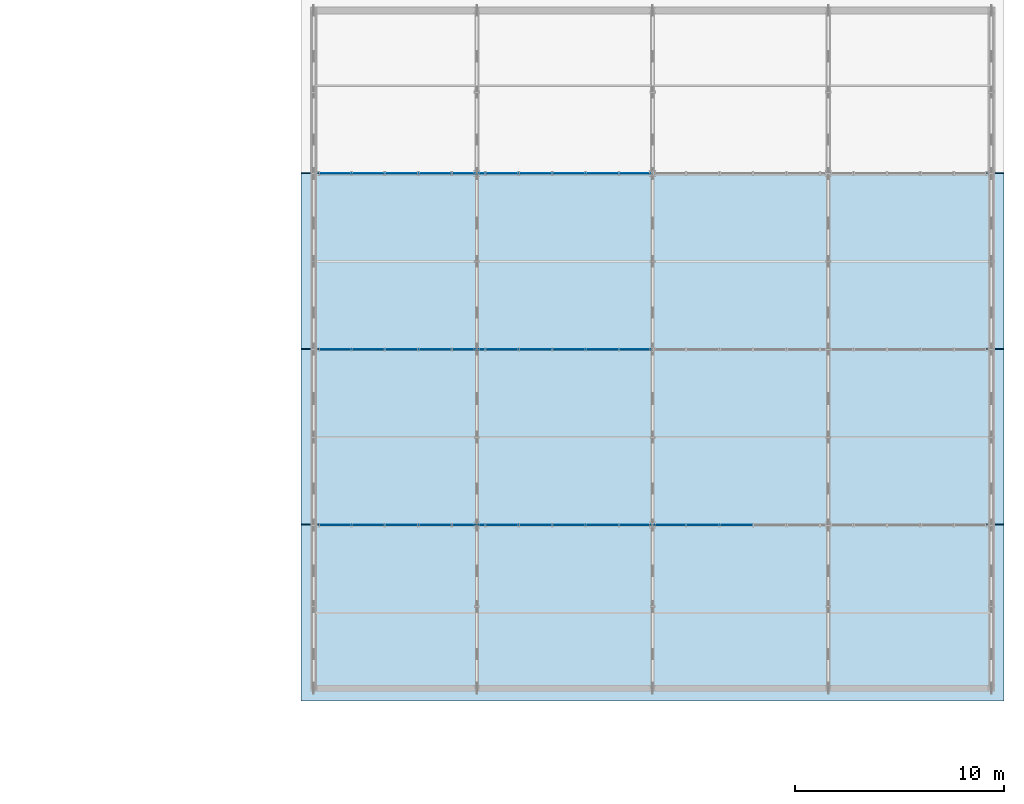
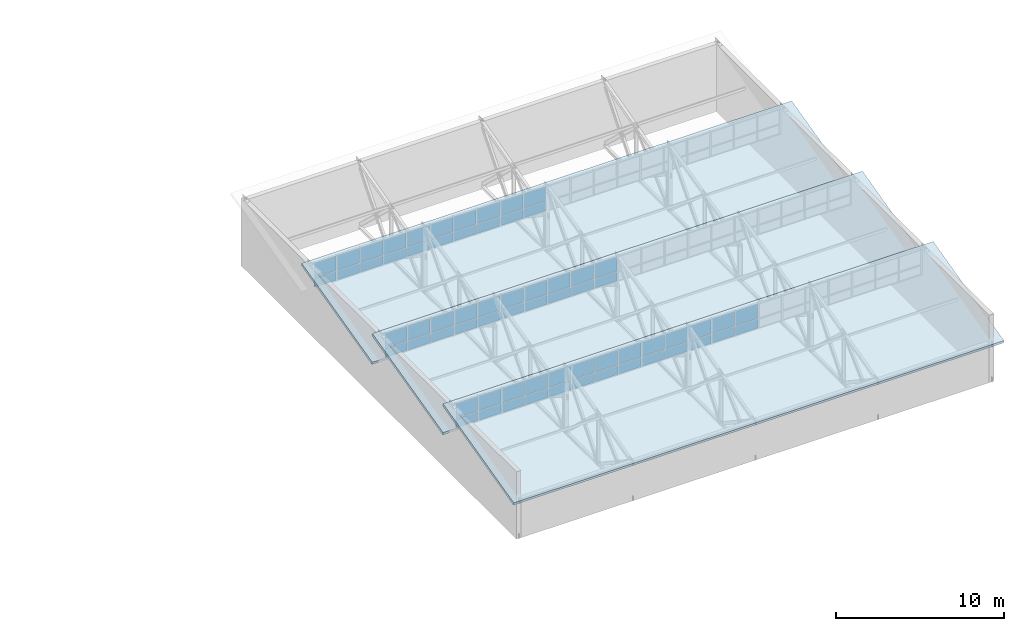
# One storey, part 95 of 123: 66 plates, 3 slabs, 3 elements without a shape of their own.
"""IFC4 building model written with IfcOpenShell, lengths in metres."""

from ifc_helpers import new_model, si_unit, direction, frame, origin, origin_2d, place, context, subcontext, project, spatial, polyline, rectangle, outline, extrude, material, layer, layer_set, type_object, element, aggregate, save


model = new_model("IFC4")

# Units and contexts
model_context = context("Model", 3, precision=1e-05, world=origin(), true_north=direction((0.0, 1.0)))
body_context = subcontext(model_context, "Body", "Model", "MODEL_VIEW")
ifc_project = project(units=[si_unit("LENGTHUNIT", "METRE"), si_unit("AREAUNIT", "SQUARE_METRE"), si_unit("VOLUMEUNIT", "CUBIC_METRE"), si_unit("PLANEANGLEUNIT", "RADIAN"), si_unit("MASSUNIT", "GRAM", prefix="KILO")], contexts=[model_context])

# Site, building, storey
site_placement = place(None, origin())
site = spatial("IfcSite", under=ifc_project, at=site_placement, CompositionType="ELEMENT")
building_placement = place(site_placement, origin())
building = spatial("IfcBuilding", under=site, at=building_placement, Name="Zayran Congress Hotel", CompositionType="ELEMENT")
storey_placement = place(building_placement, frame((0.0, 0.0, 15.0)))
storey = spatial("IfcBuildingStorey", under=building, at=storey_placement, Name="L03", CompositionType="ELEMENT", Elevation=15.0)

# Slabs
ifc_material_1 = material(Name="Concrete C32/40", Category="concrete")
ifc_layer_1 = layer(ifc_material_1, 0.199951171875)
ifc_layer_set_1 = layer_set([ifc_layer_1], Name="Concrete C32/40")
slab_type = type_object("IfcSlabType", Name="SL-RF-200", PredefinedType="ROOF", material=ifc_layer_set_1)
slab_1_placement = place(storey_placement, frame((151.199951171875, 8.800048828125, 2.85009765625), z_axis=(0.0, -0.241911825737, 0.970298236919), x_axis=(1.0, 0.0, 0.0)))
element("IfcSlab", 1, at=slab_1_placement, inside=storey, type_object=slab_type, Name="SLB-V3-RF-1", PredefinedType="ROOF", context=body_context, shape_type="SweptSolid", body=[
    extrude(outline(polyline([(0.0, 0.0), (33.60009765625, 0.0), (33.60009765625, 8.657031440579946), (0.0, 8.657031440579946), (0.0, 0.0)])), origin(), (0.0, 0.0, -1.0), 0.199951171875),
])
slab_2_placement = place(storey_placement, frame((151.199951171875, 17.199951171875, 2.85009765625), z_axis=(0.0, -0.241905206287, 0.970299887237), x_axis=(1.0, 0.0, 0.0)))
element("IfcSlab", 2, at=slab_2_placement, inside=storey, type_object=slab_type, Name="SLB-V3-RF-2", PredefinedType="ROOF", context=body_context, shape_type="SweptSolid", body=[
    extrude(outline(polyline([(0.0, 0.0), (33.60009765625, 0.0), (33.60009765625, 8.6572683299994), (0.0, 8.6572683299994), (0.0, 0.0)])), origin(), (0.0, 0.0, -1.0), 0.199951171875),
])
slab_3_placement = place(storey_placement, frame((151.199951171875, 25.60009765625, 2.85009765625), z_axis=(0.0, -0.241911825737, 0.970298236919), x_axis=(1.0, 0.0, 0.0)))
element("IfcSlab", 3, at=slab_3_placement, inside=storey, type_object=slab_type, Name="SLB-V3-RF-3", PredefinedType="ROOF", context=body_context, shape_type="SweptSolid", body=[
    extrude(outline(polyline([(0.0, 0.0), (33.60009765625, 0.0), (33.60009765625, 8.657031440579946), (0.0, 8.657031440579946), (0.0, 0.0)])), origin(), (0.0, 0.0, -1.0), 0.199951171875),
])

# Curtain wall, plates
ifc_material_2 = material(Name="Anodised aluminium and low-E insulated glass", Category="aluminium")
ifc_layer_2 = layer(ifc_material_2, 0.179931640625)
ifc_layer_set_2 = layer_set([ifc_layer_2], Name="Anodised aluminium and low-E insulated glass")
curtain_wall_type = type_object("IfcCurtainWallType", Name="CW-V3SAW-L03-CW-V31-32000-1870", PredefinedType="USERDEFINED", material=ifc_layer_set_2)
curtain_wall_1_placement = place(storey_placement, origin())
curtain_wall_1 = element("IfcCurtainWall", 4, at=curtain_wall_1_placement, inside=storey, type_object=curtain_wall_type, Name="CW-V3SAW-1", ObjectType="CURTAIN WALL", PredefinedType="USERDEFINED")
ifc_layer_3 = layer(ifc_material_2, 0.028076171875)
ifc_layer_set_3 = layer_set([ifc_layer_3], Name="Anodised aluminium and low-E insulated glass")
plate_type_1 = type_object("IfcPlateType", Name="CWP-GL-1480-1060", PredefinedType="CURTAIN_PANEL", material=ifc_layer_set_3)
plate_1_placement = place(storey_placement, frame((172.0, 17.199951171875, 3.599853515625), z_axis=(0.0, 0.0, 1.0), x_axis=(1.0, 0.0, 0.0)))
plate_1 = element("IfcPlate", 5, at=plate_1_placement, type_object=plate_type_1, Name="CW-V31 Glazed Panel 8", PredefinedType="CURTAIN_PANEL", context=body_context, shape_type="SweptSolid", body=[
    extrude(rectangle(XDim=1.52001953125, YDim=0.028076171875, at=origin_2d()), origin(), (0.0, 0.0, 1.0), 1.06005859375),
])
plate_2_placement = place(storey_placement, frame((170.39990234375, 17.199951171875, 3.599853515625), z_axis=(0.0, 0.0, 1.0), x_axis=(1.0, 0.0, 0.0)))
plate_2 = element("IfcPlate", 6, at=plate_2_placement, type_object=plate_type_1, Name="CW-V31 Glazed Panel 9", PredefinedType="CURTAIN_PANEL", context=body_context, shape_type="SweptSolid", body=[
    extrude(rectangle(XDim=1.52001953125, YDim=0.028076171875, at=origin_2d()), origin(), (0.0, 0.0, 1.0), 1.06005859375),
])
plate_3_placement = place(storey_placement, frame((168.800048828125, 17.199951171875, 3.599853515625), z_axis=(0.0, 0.0, 1.0), x_axis=(1.0, 0.0, 0.0)))
plate_3 = element("IfcPlate", 7, at=plate_3_placement, type_object=plate_type_1, Name="CW-V31 Glazed Panel 10", PredefinedType="CURTAIN_PANEL", context=body_context, shape_type="SweptSolid", body=[
    extrude(rectangle(XDim=1.52001953125, YDim=0.028076171875, at=origin_2d()), origin(), (0.0, 0.0, 1.0), 1.06005859375),
])
plate_4_placement = place(storey_placement, frame((167.199951171875, 17.199951171875, 3.599853515625), z_axis=(0.0, 0.0, 1.0), x_axis=(1.0, 0.0, 0.0)))
plate_4 = element("IfcPlate", 8, at=plate_4_placement, type_object=plate_type_1, Name="CW-V31 Glazed Panel 11", PredefinedType="CURTAIN_PANEL", context=body_context, shape_type="SweptSolid", body=[
    extrude(rectangle(XDim=1.52001953125, YDim=0.028076171875, at=origin_2d()), origin(), (0.0, 0.0, 1.0), 1.06005859375),
])
plate_5_placement = place(storey_placement, frame((165.60009765625, 17.199951171875, 3.599853515625), z_axis=(0.0, 0.0, 1.0), x_axis=(1.0, 0.0, 0.0)))
plate_5 = element("IfcPlate", 9, at=plate_5_placement, type_object=plate_type_1, Name="CW-V31 Glazed Panel 12", PredefinedType="CURTAIN_PANEL", context=body_context, shape_type="SweptSolid", body=[
    extrude(rectangle(XDim=1.52001953125, YDim=0.028076171875, at=origin_2d()), origin(), (0.0, 0.0, 1.0), 1.06005859375),
])
plate_6_placement = place(storey_placement, frame((164.0, 17.199951171875, 3.599853515625), z_axis=(0.0, 0.0, 1.0), x_axis=(1.0, 0.0, 0.0)))
plate_6 = element("IfcPlate", 10, at=plate_6_placement, type_object=plate_type_1, Name="CW-V31 Glazed Panel 13", PredefinedType="CURTAIN_PANEL", context=body_context, shape_type="SweptSolid", body=[
    extrude(rectangle(XDim=1.52001953125, YDim=0.028076171875, at=origin_2d()), origin(), (0.0, 0.0, 1.0), 1.06005859375),
])
plate_7_placement = place(storey_placement, frame((162.39990234375, 17.199951171875, 3.599853515625), z_axis=(0.0, 0.0, 1.0), x_axis=(1.0, 0.0, 0.0)))
plate_7 = element("IfcPlate", 11, at=plate_7_placement, type_object=plate_type_1, Name="CW-V31 Glazed Panel 14", PredefinedType="CURTAIN_PANEL", context=body_context, shape_type="SweptSolid", body=[
    extrude(rectangle(XDim=1.52001953125, YDim=0.028076171875, at=origin_2d()), origin(), (0.0, 0.0, 1.0), 1.06005859375),
])
plate_8_placement = place(storey_placement, frame((160.800048828125, 17.199951171875, 3.599853515625), z_axis=(0.0, 0.0, 1.0), x_axis=(1.0, 0.0, 0.0)))
plate_8 = element("IfcPlate", 12, at=plate_8_placement, type_object=plate_type_1, Name="CW-V31 Glazed Panel 15", PredefinedType="CURTAIN_PANEL", context=body_context, shape_type="SweptSolid", body=[
    extrude(rectangle(XDim=1.52001953125, YDim=0.028076171875, at=origin_2d()), origin(), (0.0, 0.0, 1.0), 1.06005859375),
])
plate_9_placement = place(storey_placement, frame((159.199951171875, 17.199951171875, 3.599853515625), z_axis=(0.0, 0.0, 1.0), x_axis=(1.0, 0.0, 0.0)))
plate_9 = element("IfcPlate", 13, at=plate_9_placement, type_object=plate_type_1, Name="CW-V31 Glazed Panel 16", PredefinedType="CURTAIN_PANEL", context=body_context, shape_type="SweptSolid", body=[
    extrude(rectangle(XDim=1.52001953125, YDim=0.028076171875, at=origin_2d()), origin(), (0.0, 0.0, 1.0), 1.06005859375),
])
plate_10_placement = place(storey_placement, frame((157.60009765625, 17.199951171875, 3.599853515625), z_axis=(0.0, 0.0, 1.0), x_axis=(1.0, 0.0, 0.0)))
plate_10 = element("IfcPlate", 14, at=plate_10_placement, type_object=plate_type_1, Name="CW-V31 Glazed Panel 17", PredefinedType="CURTAIN_PANEL", context=body_context, shape_type="SweptSolid", body=[
    extrude(rectangle(XDim=1.52001953125, YDim=0.028076171875, at=origin_2d()), origin(), (0.0, 0.0, 1.0), 1.06005859375),
])
plate_11_placement = place(storey_placement, frame((156.0, 17.199951171875, 3.599853515625), z_axis=(0.0, 0.0, 1.0), x_axis=(1.0, 0.0, 0.0)))
plate_11 = element("IfcPlate", 15, at=plate_11_placement, type_object=plate_type_1, Name="CW-V31 Glazed Panel 18", PredefinedType="CURTAIN_PANEL", context=body_context, shape_type="SweptSolid", body=[
    extrude(rectangle(XDim=1.52001953125, YDim=0.028076171875, at=origin_2d()), origin(), (0.0, 0.0, 1.0), 1.06005859375),
])
plate_12_placement = place(storey_placement, frame((154.39990234375, 17.199951171875, 3.599853515625), z_axis=(0.0, 0.0, 1.0), x_axis=(1.0, 0.0, 0.0)))
plate_12 = element("IfcPlate", 16, at=plate_12_placement, type_object=plate_type_1, Name="CW-V31 Glazed Panel 19", PredefinedType="CURTAIN_PANEL", context=body_context, shape_type="SweptSolid", body=[
    extrude(rectangle(XDim=1.52001953125, YDim=0.028076171875, at=origin_2d()), origin(), (0.0, 0.0, 1.0), 1.06005859375),
])
plate_13_placement = place(storey_placement, frame((152.820068359375, 17.199951171875, 3.599853515625), z_axis=(0.0, 0.0, 1.0), x_axis=(1.0, 0.0, 0.0)))
plate_13 = element("IfcPlate", 17, at=plate_13_placement, type_object=plate_type_1, Name="CW-V31 Glazed Panel 20", PredefinedType="CURTAIN_PANEL", context=body_context, shape_type="SweptSolid", body=[
    extrude(rectangle(XDim=1.47998046875, YDim=0.028076171875, at=origin_2d()), origin(), (0.0, 0.0, 1.0), 1.06005859375),
])

curtain_wall_2_placement = place(storey_placement, origin())
curtain_wall_2 = element("IfcCurtainWall", 18, at=curtain_wall_2_placement, inside=storey, type_object=curtain_wall_type, Name="CW-V3SAW-2", ObjectType="CURTAIN WALL", PredefinedType="USERDEFINED")
plate_14_placement = place(storey_placement, frame((167.199951171875, 25.60009765625, 3.599853515625), z_axis=(0.0, 0.0, 1.0), x_axis=(1.0, 0.0, 0.0)))
plate_14 = element("IfcPlate", 19, at=plate_14_placement, type_object=plate_type_1, Name="CW-V31 Glazed Panel 11", PredefinedType="CURTAIN_PANEL", context=body_context, shape_type="SweptSolid", body=[
    extrude(rectangle(XDim=1.52001953125, YDim=0.028076171875, at=origin_2d()), origin(), (0.0, 0.0, 1.0), 1.06005859375),
])
plate_15_placement = place(storey_placement, frame((165.60009765625, 25.60009765625, 3.599853515625), z_axis=(0.0, 0.0, 1.0), x_axis=(1.0, 0.0, 0.0)))
plate_15 = element("IfcPlate", 20, at=plate_15_placement, type_object=plate_type_1, Name="CW-V31 Glazed Panel 12", PredefinedType="CURTAIN_PANEL", context=body_context, shape_type="SweptSolid", body=[
    extrude(rectangle(XDim=1.52001953125, YDim=0.028076171875, at=origin_2d()), origin(), (0.0, 0.0, 1.0), 1.06005859375),
])
plate_16_placement = place(storey_placement, frame((164.0, 25.60009765625, 3.599853515625), z_axis=(0.0, 0.0, 1.0), x_axis=(1.0, 0.0, 0.0)))
plate_16 = element("IfcPlate", 21, at=plate_16_placement, type_object=plate_type_1, Name="CW-V31 Glazed Panel 13", PredefinedType="CURTAIN_PANEL", context=body_context, shape_type="SweptSolid", body=[
    extrude(rectangle(XDim=1.52001953125, YDim=0.028076171875, at=origin_2d()), origin(), (0.0, 0.0, 1.0), 1.06005859375),
])
plate_17_placement = place(storey_placement, frame((162.39990234375, 25.60009765625, 3.599853515625), z_axis=(0.0, 0.0, 1.0), x_axis=(1.0, 0.0, 0.0)))
plate_17 = element("IfcPlate", 22, at=plate_17_placement, type_object=plate_type_1, Name="CW-V31 Glazed Panel 14", PredefinedType="CURTAIN_PANEL", context=body_context, shape_type="SweptSolid", body=[
    extrude(rectangle(XDim=1.52001953125, YDim=0.028076171875, at=origin_2d()), origin(), (0.0, 0.0, 1.0), 1.06005859375),
])
plate_18_placement = place(storey_placement, frame((160.800048828125, 25.60009765625, 3.599853515625), z_axis=(0.0, 0.0, 1.0), x_axis=(1.0, 0.0, 0.0)))
plate_18 = element("IfcPlate", 23, at=plate_18_placement, type_object=plate_type_1, Name="CW-V31 Glazed Panel 15", PredefinedType="CURTAIN_PANEL", context=body_context, shape_type="SweptSolid", body=[
    extrude(rectangle(XDim=1.52001953125, YDim=0.028076171875, at=origin_2d()), origin(), (0.0, 0.0, 1.0), 1.06005859375),
])
plate_19_placement = place(storey_placement, frame((159.199951171875, 25.60009765625, 3.599853515625), z_axis=(0.0, 0.0, 1.0), x_axis=(1.0, 0.0, 0.0)))
plate_19 = element("IfcPlate", 24, at=plate_19_placement, type_object=plate_type_1, Name="CW-V31 Glazed Panel 16", PredefinedType="CURTAIN_PANEL", context=body_context, shape_type="SweptSolid", body=[
    extrude(rectangle(XDim=1.52001953125, YDim=0.028076171875, at=origin_2d()), origin(), (0.0, 0.0, 1.0), 1.06005859375),
])
plate_20_placement = place(storey_placement, frame((157.60009765625, 25.60009765625, 3.599853515625), z_axis=(0.0, 0.0, 1.0), x_axis=(1.0, 0.0, 0.0)))
plate_20 = element("IfcPlate", 25, at=plate_20_placement, type_object=plate_type_1, Name="CW-V31 Glazed Panel 17", PredefinedType="CURTAIN_PANEL", context=body_context, shape_type="SweptSolid", body=[
    extrude(rectangle(XDim=1.52001953125, YDim=0.028076171875, at=origin_2d()), origin(), (0.0, 0.0, 1.0), 1.06005859375),
])
plate_21_placement = place(storey_placement, frame((156.0, 25.60009765625, 3.599853515625), z_axis=(0.0, 0.0, 1.0), x_axis=(1.0, 0.0, 0.0)))
plate_21 = element("IfcPlate", 26, at=plate_21_placement, type_object=plate_type_1, Name="CW-V31 Glazed Panel 18", PredefinedType="CURTAIN_PANEL", context=body_context, shape_type="SweptSolid", body=[
    extrude(rectangle(XDim=1.52001953125, YDim=0.028076171875, at=origin_2d()), origin(), (0.0, 0.0, 1.0), 1.06005859375),
])
plate_22_placement = place(storey_placement, frame((154.39990234375, 25.60009765625, 3.599853515625), z_axis=(0.0, 0.0, 1.0), x_axis=(1.0, 0.0, 0.0)))
plate_22 = element("IfcPlate", 27, at=plate_22_placement, type_object=plate_type_1, Name="CW-V31 Glazed Panel 19", PredefinedType="CURTAIN_PANEL", context=body_context, shape_type="SweptSolid", body=[
    extrude(rectangle(XDim=1.52001953125, YDim=0.028076171875, at=origin_2d()), origin(), (0.0, 0.0, 1.0), 1.06005859375),
])
plate_23_placement = place(storey_placement, frame((152.820068359375, 25.60009765625, 3.599853515625), z_axis=(0.0, 0.0, 1.0), x_axis=(1.0, 0.0, 0.0)))
plate_23 = element("IfcPlate", 28, at=plate_23_placement, type_object=plate_type_1, Name="CW-V31 Glazed Panel 20", PredefinedType="CURTAIN_PANEL", context=body_context, shape_type="SweptSolid", body=[
    extrude(rectangle(XDim=1.47998046875, YDim=0.028076171875, at=origin_2d()), origin(), (0.0, 0.0, 1.0), 1.06005859375),
])

curtain_wall_3_placement = place(storey_placement, origin())
curtain_wall_3 = element("IfcCurtainWall", 29, at=curtain_wall_3_placement, inside=storey, type_object=curtain_wall_type, Name="CW-V3SAW-3", ObjectType="CURTAIN WALL", PredefinedType="USERDEFINED")
plate_24_placement = place(storey_placement, frame((167.199951171875, 34.0, 3.599853515625), z_axis=(0.0, 0.0, 1.0), x_axis=(1.0, 0.0, 0.0)))
plate_24 = element("IfcPlate", 30, at=plate_24_placement, type_object=plate_type_1, Name="CW-V31 Glazed Panel 11", PredefinedType="CURTAIN_PANEL", context=body_context, shape_type="SweptSolid", body=[
    extrude(rectangle(XDim=1.52001953125, YDim=0.028076171875, at=origin_2d()), origin(), (0.0, 0.0, 1.0), 1.06005859375),
])
plate_25_placement = place(storey_placement, frame((165.60009765625, 34.0, 3.599853515625), z_axis=(0.0, 0.0, 1.0), x_axis=(1.0, 0.0, 0.0)))
plate_25 = element("IfcPlate", 31, at=plate_25_placement, type_object=plate_type_1, Name="CW-V31 Glazed Panel 12", PredefinedType="CURTAIN_PANEL", context=body_context, shape_type="SweptSolid", body=[
    extrude(rectangle(XDim=1.52001953125, YDim=0.028076171875, at=origin_2d()), origin(), (0.0, 0.0, 1.0), 1.06005859375),
])
plate_26_placement = place(storey_placement, frame((164.0, 34.0, 3.599853515625), z_axis=(0.0, 0.0, 1.0), x_axis=(1.0, 0.0, 0.0)))
plate_26 = element("IfcPlate", 32, at=plate_26_placement, type_object=plate_type_1, Name="CW-V31 Glazed Panel 13", PredefinedType="CURTAIN_PANEL", context=body_context, shape_type="SweptSolid", body=[
    extrude(rectangle(XDim=1.52001953125, YDim=0.028076171875, at=origin_2d()), origin(), (0.0, 0.0, 1.0), 1.06005859375),
])
plate_27_placement = place(storey_placement, frame((162.39990234375, 34.0, 3.599853515625), z_axis=(0.0, 0.0, 1.0), x_axis=(1.0, 0.0, 0.0)))
plate_27 = element("IfcPlate", 33, at=plate_27_placement, type_object=plate_type_1, Name="CW-V31 Glazed Panel 14", PredefinedType="CURTAIN_PANEL", context=body_context, shape_type="SweptSolid", body=[
    extrude(rectangle(XDim=1.52001953125, YDim=0.028076171875, at=origin_2d()), origin(), (0.0, 0.0, 1.0), 1.06005859375),
])
plate_28_placement = place(storey_placement, frame((160.800048828125, 34.0, 3.599853515625), z_axis=(0.0, 0.0, 1.0), x_axis=(1.0, 0.0, 0.0)))
plate_28 = element("IfcPlate", 34, at=plate_28_placement, type_object=plate_type_1, Name="CW-V31 Glazed Panel 15", PredefinedType="CURTAIN_PANEL", context=body_context, shape_type="SweptSolid", body=[
    extrude(rectangle(XDim=1.52001953125, YDim=0.028076171875, at=origin_2d()), origin(), (0.0, 0.0, 1.0), 1.06005859375),
])
plate_29_placement = place(storey_placement, frame((159.199951171875, 34.0, 3.599853515625), z_axis=(0.0, 0.0, 1.0), x_axis=(1.0, 0.0, 0.0)))
plate_29 = element("IfcPlate", 35, at=plate_29_placement, type_object=plate_type_1, Name="CW-V31 Glazed Panel 16", PredefinedType="CURTAIN_PANEL", context=body_context, shape_type="SweptSolid", body=[
    extrude(rectangle(XDim=1.52001953125, YDim=0.028076171875, at=origin_2d()), origin(), (0.0, 0.0, 1.0), 1.06005859375),
])
plate_30_placement = place(storey_placement, frame((157.60009765625, 34.0, 3.599853515625), z_axis=(0.0, 0.0, 1.0), x_axis=(1.0, 0.0, 0.0)))
plate_30 = element("IfcPlate", 36, at=plate_30_placement, type_object=plate_type_1, Name="CW-V31 Glazed Panel 17", PredefinedType="CURTAIN_PANEL", context=body_context, shape_type="SweptSolid", body=[
    extrude(rectangle(XDim=1.52001953125, YDim=0.028076171875, at=origin_2d()), origin(), (0.0, 0.0, 1.0), 1.06005859375),
])
plate_31_placement = place(storey_placement, frame((156.0, 34.0, 3.599853515625), z_axis=(0.0, 0.0, 1.0), x_axis=(1.0, 0.0, 0.0)))
plate_31 = element("IfcPlate", 37, at=plate_31_placement, type_object=plate_type_1, Name="CW-V31 Glazed Panel 18", PredefinedType="CURTAIN_PANEL", context=body_context, shape_type="SweptSolid", body=[
    extrude(rectangle(XDim=1.52001953125, YDim=0.028076171875, at=origin_2d()), origin(), (0.0, 0.0, 1.0), 1.06005859375),
])
plate_32_placement = place(storey_placement, frame((154.39990234375, 34.0, 3.599853515625), z_axis=(0.0, 0.0, 1.0), x_axis=(1.0, 0.0, 0.0)))
plate_32 = element("IfcPlate", 38, at=plate_32_placement, type_object=plate_type_1, Name="CW-V31 Glazed Panel 19", PredefinedType="CURTAIN_PANEL", context=body_context, shape_type="SweptSolid", body=[
    extrude(rectangle(XDim=1.52001953125, YDim=0.028076171875, at=origin_2d()), origin(), (0.0, 0.0, 1.0), 1.06005859375),
])
plate_33_placement = place(storey_placement, frame((152.820068359375, 34.0, 3.599853515625), z_axis=(0.0, 0.0, 1.0), x_axis=(1.0, 0.0, 0.0)))
plate_33 = element("IfcPlate", 39, at=plate_33_placement, type_object=plate_type_1, Name="CW-V31 Glazed Panel 20", PredefinedType="CURTAIN_PANEL", context=body_context, shape_type="SweptSolid", body=[
    extrude(rectangle(XDim=1.47998046875, YDim=0.028076171875, at=origin_2d()), origin(), (0.0, 0.0, 1.0), 1.06005859375),
])

# Plate
ifc_material_3 = material(Name="Insulated warm bronze aluminium spandrel panel", Category="aluminium")
ifc_layer_4 = layer(ifc_material_3, 0.06005859375)
ifc_layer_set_4 = layer_set([ifc_layer_4], Name="Insulated warm bronze aluminium spandrel panel")
plate_type_2 = type_object("IfcPlateType", Name="CWP-SP-1480-630", PredefinedType="CURTAIN_PANEL", material=ifc_layer_set_4)
plate_34_placement = place(storey_placement, frame((172.0, 17.199951171875, 2.91015625), z_axis=(0.0, 0.0, 1.0), x_axis=(1.0, 0.0, 0.0)))
plate_34 = element("IfcPlate", 40, at=plate_34_placement, type_object=plate_type_2, Name="CW-V31 Spandrel Panel 8", PredefinedType="CURTAIN_PANEL", context=body_context, shape_type="SweptSolid", body=[
    extrude(rectangle(XDim=1.52001953125, YDim=0.06005859375, at=origin_2d()), origin(), (0.0, 0.0, 1.0), 0.6298828125),
])

plate_35_placement = place(storey_placement, frame((170.39990234375, 17.199951171875, 2.91015625), z_axis=(0.0, 0.0, 1.0), x_axis=(1.0, 0.0, 0.0)))
plate_35 = element("IfcPlate", 41, at=plate_35_placement, type_object=plate_type_2, Name="CW-V31 Spandrel Panel 9", PredefinedType="CURTAIN_PANEL", context=body_context, shape_type="SweptSolid", body=[
    extrude(rectangle(XDim=1.52001953125, YDim=0.06005859375, at=origin_2d()), origin(), (0.0, 0.0, 1.0), 0.6298828125),
])

plate_36_placement = place(storey_placement, frame((168.800048828125, 17.199951171875, 2.91015625), z_axis=(0.0, 0.0, 1.0), x_axis=(1.0, 0.0, 0.0)))
plate_36 = element("IfcPlate", 42, at=plate_36_placement, type_object=plate_type_2, Name="CW-V31 Spandrel Panel 10", PredefinedType="CURTAIN_PANEL", context=body_context, shape_type="SweptSolid", body=[
    extrude(rectangle(XDim=1.52001953125, YDim=0.06005859375, at=origin_2d()), origin(), (0.0, 0.0, 1.0), 0.6298828125),
])

plate_37_placement = place(storey_placement, frame((167.199951171875, 17.199951171875, 2.91015625), z_axis=(0.0, 0.0, 1.0), x_axis=(1.0, 0.0, 0.0)))
plate_37 = element("IfcPlate", 43, at=plate_37_placement, type_object=plate_type_2, Name="CW-V31 Spandrel Panel 11", PredefinedType="CURTAIN_PANEL", context=body_context, shape_type="SweptSolid", body=[
    extrude(rectangle(XDim=1.52001953125, YDim=0.06005859375, at=origin_2d()), origin(), (0.0, 0.0, 1.0), 0.6298828125),
])

plate_38_placement = place(storey_placement, frame((165.60009765625, 17.199951171875, 2.91015625), z_axis=(0.0, 0.0, 1.0), x_axis=(1.0, 0.0, 0.0)))
plate_38 = element("IfcPlate", 44, at=plate_38_placement, type_object=plate_type_2, Name="CW-V31 Spandrel Panel 12", PredefinedType="CURTAIN_PANEL", context=body_context, shape_type="SweptSolid", body=[
    extrude(rectangle(XDim=1.52001953125, YDim=0.06005859375, at=origin_2d()), origin(), (0.0, 0.0, 1.0), 0.6298828125),
])

plate_39_placement = place(storey_placement, frame((164.0, 17.199951171875, 2.91015625), z_axis=(0.0, 0.0, 1.0), x_axis=(1.0, 0.0, 0.0)))
plate_39 = element("IfcPlate", 45, at=plate_39_placement, type_object=plate_type_2, Name="CW-V31 Spandrel Panel 13", PredefinedType="CURTAIN_PANEL", context=body_context, shape_type="SweptSolid", body=[
    extrude(rectangle(XDim=1.52001953125, YDim=0.06005859375, at=origin_2d()), origin(), (0.0, 0.0, 1.0), 0.6298828125),
])

plate_40_placement = place(storey_placement, frame((162.39990234375, 17.199951171875, 2.91015625), z_axis=(0.0, 0.0, 1.0), x_axis=(1.0, 0.0, 0.0)))
plate_40 = element("IfcPlate", 46, at=plate_40_placement, type_object=plate_type_2, Name="CW-V31 Spandrel Panel 14", PredefinedType="CURTAIN_PANEL", context=body_context, shape_type="SweptSolid", body=[
    extrude(rectangle(XDim=1.52001953125, YDim=0.06005859375, at=origin_2d()), origin(), (0.0, 0.0, 1.0), 0.6298828125),
])

plate_41_placement = place(storey_placement, frame((160.800048828125, 17.199951171875, 2.91015625), z_axis=(0.0, 0.0, 1.0), x_axis=(1.0, 0.0, 0.0)))
plate_41 = element("IfcPlate", 47, at=plate_41_placement, type_object=plate_type_2, Name="CW-V31 Spandrel Panel 15", PredefinedType="CURTAIN_PANEL", context=body_context, shape_type="SweptSolid", body=[
    extrude(rectangle(XDim=1.52001953125, YDim=0.06005859375, at=origin_2d()), origin(), (0.0, 0.0, 1.0), 0.6298828125),
])

plate_42_placement = place(storey_placement, frame((159.199951171875, 17.199951171875, 2.91015625), z_axis=(0.0, 0.0, 1.0), x_axis=(1.0, 0.0, 0.0)))
plate_42 = element("IfcPlate", 48, at=plate_42_placement, type_object=plate_type_2, Name="CW-V31 Spandrel Panel 16", PredefinedType="CURTAIN_PANEL", context=body_context, shape_type="SweptSolid", body=[
    extrude(rectangle(XDim=1.52001953125, YDim=0.06005859375, at=origin_2d()), origin(), (0.0, 0.0, 1.0), 0.6298828125),
])

plate_43_placement = place(storey_placement, frame((157.60009765625, 17.199951171875, 2.91015625), z_axis=(0.0, 0.0, 1.0), x_axis=(1.0, 0.0, 0.0)))
plate_43 = element("IfcPlate", 49, at=plate_43_placement, type_object=plate_type_2, Name="CW-V31 Spandrel Panel 17", PredefinedType="CURTAIN_PANEL", context=body_context, shape_type="SweptSolid", body=[
    extrude(rectangle(XDim=1.52001953125, YDim=0.06005859375, at=origin_2d()), origin(), (0.0, 0.0, 1.0), 0.6298828125),
])

plate_44_placement = place(storey_placement, frame((156.0, 17.199951171875, 2.91015625), z_axis=(0.0, 0.0, 1.0), x_axis=(1.0, 0.0, 0.0)))
plate_44 = element("IfcPlate", 50, at=plate_44_placement, type_object=plate_type_2, Name="CW-V31 Spandrel Panel 18", PredefinedType="CURTAIN_PANEL", context=body_context, shape_type="SweptSolid", body=[
    extrude(rectangle(XDim=1.52001953125, YDim=0.06005859375, at=origin_2d()), origin(), (0.0, 0.0, 1.0), 0.6298828125),
])

plate_45_placement = place(storey_placement, frame((154.39990234375, 17.199951171875, 2.91015625), z_axis=(0.0, 0.0, 1.0), x_axis=(1.0, 0.0, 0.0)))
plate_45 = element("IfcPlate", 51, at=plate_45_placement, type_object=plate_type_2, Name="CW-V31 Spandrel Panel 19", PredefinedType="CURTAIN_PANEL", context=body_context, shape_type="SweptSolid", body=[
    extrude(rectangle(XDim=1.52001953125, YDim=0.06005859375, at=origin_2d()), origin(), (0.0, 0.0, 1.0), 0.6298828125),
])

plate_46_placement = place(storey_placement, frame((152.820068359375, 17.199951171875, 2.91015625), z_axis=(0.0, 0.0, 1.0), x_axis=(1.0, 0.0, 0.0)))
plate_46 = element("IfcPlate", 52, at=plate_46_placement, type_object=plate_type_2, Name="CW-V31 Spandrel Panel 20", PredefinedType="CURTAIN_PANEL", context=body_context, shape_type="SweptSolid", body=[
    extrude(rectangle(XDim=1.47998046875, YDim=0.06005859375, at=origin_2d()), origin(), (0.0, 0.0, 1.0), 0.6298828125),
])

aggregate(curtain_wall_1, [plate_34, plate_1, plate_35, plate_2, plate_36, plate_3, plate_37, plate_4, plate_38, plate_5, plate_39, plate_6, plate_40, plate_7, plate_41, plate_8, plate_42, plate_9, plate_43, plate_10, plate_44, plate_11, plate_45, plate_12, plate_46, plate_13])

plate_47_placement = place(storey_placement, frame((167.199951171875, 25.60009765625, 2.91015625), z_axis=(0.0, 0.0, 1.0), x_axis=(1.0, 0.0, 0.0)))
plate_47 = element("IfcPlate", 53, at=plate_47_placement, type_object=plate_type_2, Name="CW-V31 Spandrel Panel 11", PredefinedType="CURTAIN_PANEL", context=body_context, shape_type="SweptSolid", body=[
    extrude(rectangle(XDim=1.52001953125, YDim=0.06005859375, at=origin_2d()), origin(), (0.0, 0.0, 1.0), 0.6298828125),
])

plate_48_placement = place(storey_placement, frame((165.60009765625, 25.60009765625, 2.91015625), z_axis=(0.0, 0.0, 1.0), x_axis=(1.0, 0.0, 0.0)))
plate_48 = element("IfcPlate", 54, at=plate_48_placement, type_object=plate_type_2, Name="CW-V31 Spandrel Panel 12", PredefinedType="CURTAIN_PANEL", context=body_context, shape_type="SweptSolid", body=[
    extrude(rectangle(XDim=1.52001953125, YDim=0.06005859375, at=origin_2d()), origin(), (0.0, 0.0, 1.0), 0.6298828125),
])

plate_49_placement = place(storey_placement, frame((164.0, 25.60009765625, 2.91015625), z_axis=(0.0, 0.0, 1.0), x_axis=(1.0, 0.0, 0.0)))
plate_49 = element("IfcPlate", 55, at=plate_49_placement, type_object=plate_type_2, Name="CW-V31 Spandrel Panel 13", PredefinedType="CURTAIN_PANEL", context=body_context, shape_type="SweptSolid", body=[
    extrude(rectangle(XDim=1.52001953125, YDim=0.06005859375, at=origin_2d()), origin(), (0.0, 0.0, 1.0), 0.6298828125),
])

plate_50_placement = place(storey_placement, frame((162.39990234375, 25.60009765625, 2.91015625), z_axis=(0.0, 0.0, 1.0), x_axis=(1.0, 0.0, 0.0)))
plate_50 = element("IfcPlate", 56, at=plate_50_placement, type_object=plate_type_2, Name="CW-V31 Spandrel Panel 14", PredefinedType="CURTAIN_PANEL", context=body_context, shape_type="SweptSolid", body=[
    extrude(rectangle(XDim=1.52001953125, YDim=0.06005859375, at=origin_2d()), origin(), (0.0, 0.0, 1.0), 0.6298828125),
])

plate_51_placement = place(storey_placement, frame((160.800048828125, 25.60009765625, 2.91015625), z_axis=(0.0, 0.0, 1.0), x_axis=(1.0, 0.0, 0.0)))
plate_51 = element("IfcPlate", 57, at=plate_51_placement, type_object=plate_type_2, Name="CW-V31 Spandrel Panel 15", PredefinedType="CURTAIN_PANEL", context=body_context, shape_type="SweptSolid", body=[
    extrude(rectangle(XDim=1.52001953125, YDim=0.06005859375, at=origin_2d()), origin(), (0.0, 0.0, 1.0), 0.6298828125),
])

plate_52_placement = place(storey_placement, frame((159.199951171875, 25.60009765625, 2.91015625), z_axis=(0.0, 0.0, 1.0), x_axis=(1.0, 0.0, 0.0)))
plate_52 = element("IfcPlate", 58, at=plate_52_placement, type_object=plate_type_2, Name="CW-V31 Spandrel Panel 16", PredefinedType="CURTAIN_PANEL", context=body_context, shape_type="SweptSolid", body=[
    extrude(rectangle(XDim=1.52001953125, YDim=0.06005859375, at=origin_2d()), origin(), (0.0, 0.0, 1.0), 0.6298828125),
])

plate_53_placement = place(storey_placement, frame((157.60009765625, 25.60009765625, 2.91015625), z_axis=(0.0, 0.0, 1.0), x_axis=(1.0, 0.0, 0.0)))
plate_53 = element("IfcPlate", 59, at=plate_53_placement, type_object=plate_type_2, Name="CW-V31 Spandrel Panel 17", PredefinedType="CURTAIN_PANEL", context=body_context, shape_type="SweptSolid", body=[
    extrude(rectangle(XDim=1.52001953125, YDim=0.06005859375, at=origin_2d()), origin(), (0.0, 0.0, 1.0), 0.6298828125),
])

plate_54_placement = place(storey_placement, frame((156.0, 25.60009765625, 2.91015625), z_axis=(0.0, 0.0, 1.0), x_axis=(1.0, 0.0, 0.0)))
plate_54 = element("IfcPlate", 60, at=plate_54_placement, type_object=plate_type_2, Name="CW-V31 Spandrel Panel 18", PredefinedType="CURTAIN_PANEL", context=body_context, shape_type="SweptSolid", body=[
    extrude(rectangle(XDim=1.52001953125, YDim=0.06005859375, at=origin_2d()), origin(), (0.0, 0.0, 1.0), 0.6298828125),
])

plate_55_placement = place(storey_placement, frame((154.39990234375, 25.60009765625, 2.91015625), z_axis=(0.0, 0.0, 1.0), x_axis=(1.0, 0.0, 0.0)))
plate_55 = element("IfcPlate", 61, at=plate_55_placement, type_object=plate_type_2, Name="CW-V31 Spandrel Panel 19", PredefinedType="CURTAIN_PANEL", context=body_context, shape_type="SweptSolid", body=[
    extrude(rectangle(XDim=1.52001953125, YDim=0.06005859375, at=origin_2d()), origin(), (0.0, 0.0, 1.0), 0.6298828125),
])

plate_56_placement = place(storey_placement, frame((152.820068359375, 25.60009765625, 2.91015625), z_axis=(0.0, 0.0, 1.0), x_axis=(1.0, 0.0, 0.0)))
plate_56 = element("IfcPlate", 62, at=plate_56_placement, type_object=plate_type_2, Name="CW-V31 Spandrel Panel 20", PredefinedType="CURTAIN_PANEL", context=body_context, shape_type="SweptSolid", body=[
    extrude(rectangle(XDim=1.47998046875, YDim=0.06005859375, at=origin_2d()), origin(), (0.0, 0.0, 1.0), 0.6298828125),
])

aggregate(curtain_wall_2, [plate_47, plate_14, plate_48, plate_15, plate_49, plate_16, plate_50, plate_17, plate_51, plate_18, plate_52, plate_19, plate_53, plate_20, plate_54, plate_21, plate_55, plate_22, plate_56, plate_23])

plate_57_placement = place(storey_placement, frame((167.199951171875, 34.0, 2.91015625), z_axis=(0.0, 0.0, 1.0), x_axis=(1.0, 0.0, 0.0)))
plate_57 = element("IfcPlate", 63, at=plate_57_placement, type_object=plate_type_2, Name="CW-V31 Spandrel Panel 11", PredefinedType="CURTAIN_PANEL", context=body_context, shape_type="SweptSolid", body=[
    extrude(rectangle(XDim=1.52001953125, YDim=0.06005859375, at=origin_2d()), origin(), (0.0, 0.0, 1.0), 0.6298828125),
])

plate_58_placement = place(storey_placement, frame((165.60009765625, 34.0, 2.91015625), z_axis=(0.0, 0.0, 1.0), x_axis=(1.0, 0.0, 0.0)))
plate_58 = element("IfcPlate", 64, at=plate_58_placement, type_object=plate_type_2, Name="CW-V31 Spandrel Panel 12", PredefinedType="CURTAIN_PANEL", context=body_context, shape_type="SweptSolid", body=[
    extrude(rectangle(XDim=1.52001953125, YDim=0.06005859375, at=origin_2d()), origin(), (0.0, 0.0, 1.0), 0.6298828125),
])

plate_59_placement = place(storey_placement, frame((164.0, 34.0, 2.91015625), z_axis=(0.0, 0.0, 1.0), x_axis=(1.0, 0.0, 0.0)))
plate_59 = element("IfcPlate", 65, at=plate_59_placement, type_object=plate_type_2, Name="CW-V31 Spandrel Panel 13", PredefinedType="CURTAIN_PANEL", context=body_context, shape_type="SweptSolid", body=[
    extrude(rectangle(XDim=1.52001953125, YDim=0.06005859375, at=origin_2d()), origin(), (0.0, 0.0, 1.0), 0.6298828125),
])

plate_60_placement = place(storey_placement, frame((162.39990234375, 34.0, 2.91015625), z_axis=(0.0, 0.0, 1.0), x_axis=(1.0, 0.0, 0.0)))
plate_60 = element("IfcPlate", 66, at=plate_60_placement, type_object=plate_type_2, Name="CW-V31 Spandrel Panel 14", PredefinedType="CURTAIN_PANEL", context=body_context, shape_type="SweptSolid", body=[
    extrude(rectangle(XDim=1.52001953125, YDim=0.06005859375, at=origin_2d()), origin(), (0.0, 0.0, 1.0), 0.6298828125),
])

plate_61_placement = place(storey_placement, frame((160.800048828125, 34.0, 2.91015625), z_axis=(0.0, 0.0, 1.0), x_axis=(1.0, 0.0, 0.0)))
plate_61 = element("IfcPlate", 67, at=plate_61_placement, type_object=plate_type_2, Name="CW-V31 Spandrel Panel 15", PredefinedType="CURTAIN_PANEL", context=body_context, shape_type="SweptSolid", body=[
    extrude(rectangle(XDim=1.52001953125, YDim=0.06005859375, at=origin_2d()), origin(), (0.0, 0.0, 1.0), 0.6298828125),
])

plate_62_placement = place(storey_placement, frame((159.199951171875, 34.0, 2.91015625), z_axis=(0.0, 0.0, 1.0), x_axis=(1.0, 0.0, 0.0)))
plate_62 = element("IfcPlate", 68, at=plate_62_placement, type_object=plate_type_2, Name="CW-V31 Spandrel Panel 16", PredefinedType="CURTAIN_PANEL", context=body_context, shape_type="SweptSolid", body=[
    extrude(rectangle(XDim=1.52001953125, YDim=0.06005859375, at=origin_2d()), origin(), (0.0, 0.0, 1.0), 0.6298828125),
])

plate_63_placement = place(storey_placement, frame((157.60009765625, 34.0, 2.91015625), z_axis=(0.0, 0.0, 1.0), x_axis=(1.0, 0.0, 0.0)))
plate_63 = element("IfcPlate", 69, at=plate_63_placement, type_object=plate_type_2, Name="CW-V31 Spandrel Panel 17", PredefinedType="CURTAIN_PANEL", context=body_context, shape_type="SweptSolid", body=[
    extrude(rectangle(XDim=1.52001953125, YDim=0.06005859375, at=origin_2d()), origin(), (0.0, 0.0, 1.0), 0.6298828125),
])

plate_64_placement = place(storey_placement, frame((156.0, 34.0, 2.91015625), z_axis=(0.0, 0.0, 1.0), x_axis=(1.0, 0.0, 0.0)))
plate_64 = element("IfcPlate", 70, at=plate_64_placement, type_object=plate_type_2, Name="CW-V31 Spandrel Panel 18", PredefinedType="CURTAIN_PANEL", context=body_context, shape_type="SweptSolid", body=[
    extrude(rectangle(XDim=1.52001953125, YDim=0.06005859375, at=origin_2d()), origin(), (0.0, 0.0, 1.0), 0.6298828125),
])

plate_65_placement = place(storey_placement, frame((154.39990234375, 34.0, 2.91015625), z_axis=(0.0, 0.0, 1.0), x_axis=(1.0, 0.0, 0.0)))
plate_65 = element("IfcPlate", 71, at=plate_65_placement, type_object=plate_type_2, Name="CW-V31 Spandrel Panel 19", PredefinedType="CURTAIN_PANEL", context=body_context, shape_type="SweptSolid", body=[
    extrude(rectangle(XDim=1.52001953125, YDim=0.06005859375, at=origin_2d()), origin(), (0.0, 0.0, 1.0), 0.6298828125),
])

plate_66_placement = place(storey_placement, frame((152.820068359375, 34.0, 2.91015625), z_axis=(0.0, 0.0, 1.0), x_axis=(1.0, 0.0, 0.0)))
plate_66 = element("IfcPlate", 72, at=plate_66_placement, type_object=plate_type_2, Name="CW-V31 Spandrel Panel 20", PredefinedType="CURTAIN_PANEL", context=body_context, shape_type="SweptSolid", body=[
    extrude(rectangle(XDim=1.47998046875, YDim=0.06005859375, at=origin_2d()), origin(), (0.0, 0.0, 1.0), 0.6298828125),
])

aggregate(curtain_wall_3, [plate_57, plate_24, plate_58, plate_25, plate_59, plate_26, plate_60, plate_27, plate_61, plate_28, plate_62, plate_29, plate_63, plate_30, plate_64, plate_31, plate_65, plate_32, plate_66, plate_33])

save(model, "model.ifc")
